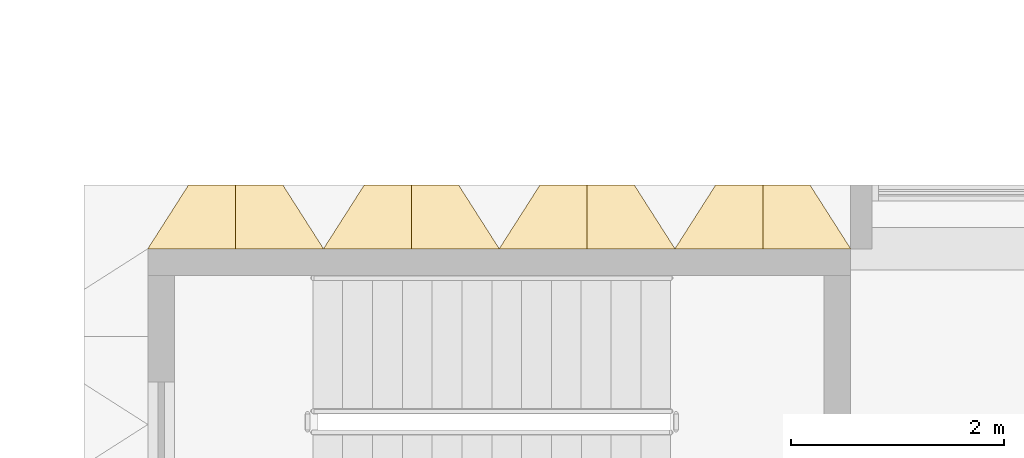
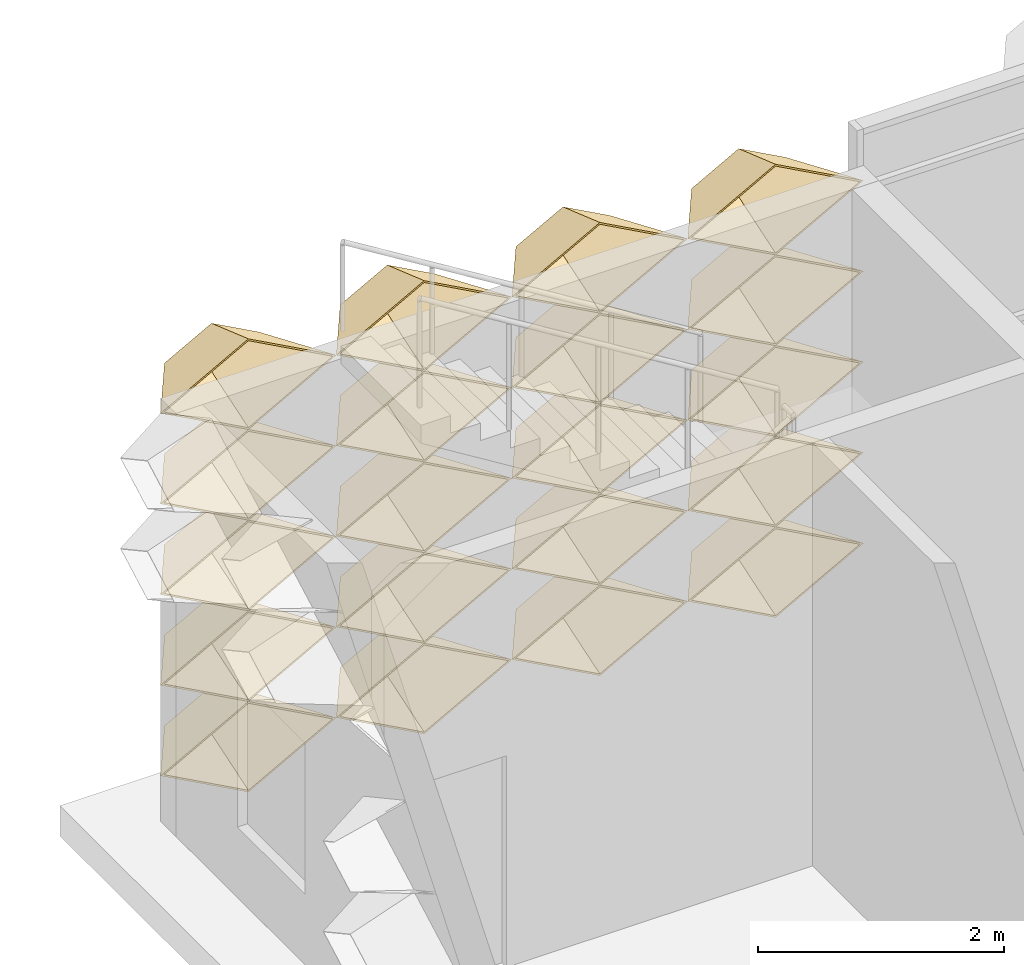
# One storey, part 65 of 102: 20 coverings.
"""IFC4 building model written with IfcOpenShell, lengths in metres."""

from ifc_helpers import new_model, entity, si_unit, direction, frame, origin, place, context, subcontext, project, spatial, material, layer, layer_set, type_object, element, save


model = new_model("IFC4")

# Units and contexts
model_context = context("Model", 3, precision=1e-05, world=origin(), true_north=direction((0.0, 1.0)))
body_context = subcontext(model_context, "Body", "Model", "MODEL_VIEW")
ifc_project = project(units=[si_unit("LENGTHUNIT", "METRE"), si_unit("AREAUNIT", "SQUARE_METRE"), si_unit("VOLUMEUNIT", "CUBIC_METRE"), si_unit("PLANEANGLEUNIT", "RADIAN"), si_unit("MASSUNIT", "GRAM", prefix="KILO")], contexts=[model_context])

# Site, building, storey
site_placement = place(None, origin())
site = spatial("IfcSite", under=ifc_project, at=site_placement, CompositionType="ELEMENT")
building_placement = place(site_placement, origin())
building = spatial("IfcBuilding", under=site, at=building_placement, Name="Lantern Court Research Institute", CompositionType="ELEMENT")
storey_placement = place(building_placement, frame((0.0, 0.0, 9.89990234375)))
storey = spatial("IfcBuildingStorey", under=building, at=storey_placement, Name="L02", CompositionType="ELEMENT", Elevation=9.89990234375)

# Coverings
ifc_material = material(Name="Anodised aluminium", Category="aluminium")
ifc_layer = layer(ifc_material, 0.01611328125)
ifc_layer_set = layer_set([ifc_layer], Name="Anodised aluminium")
covering_type = type_object("IfcCoveringType", Name="Fin cassette 1650 x 900 x 600 aluminium", PredefinedType="CLADDING", material=ifc_layer_set)
covering_1_placement = place(storey_placement, frame((0.824951171875, 23.10009765625, 0.4501953125), z_axis=(0.0, 1.0, 0.0), x_axis=(-1.0, 0.0, 0.0)))
cartesian_point_1 = entity("IfcCartesianPoint", [0.824951171875, 0.0])
cartesian_point_2 = entity("IfcCartesianPoint", [0.79150390625, 0.0])
cartesian_point_3 = entity("IfcCartesianPoint", [0.44189453125, 0.0])
cartesian_point_4 = entity("IfcCartesianPoint", [0.43359375, 0.0])
element("IfcCovering", 1, at=covering_1_placement, inside=storey, type_object=covering_type, Name="Fin cassette V4N-L02 1.1", PredefinedType="CLADDING", context=body_context, shape_type="SweptSolid", body=[
    entity("IfcExtrudedAreaSolidTapered", entity("IfcArbitraryProfileDefWithVoids", "AREA", None, entity("IfcPolyline", [cartesian_point_1, entity("IfcCartesianPoint", [0.0, 0.449951171875]), entity("IfcCartesianPoint", [-0.824951171875, 0.0]), entity("IfcCartesianPoint", [0.0, -0.449951171875]), cartesian_point_1]), [entity("IfcPolyline", [cartesian_point_2, entity("IfcCartesianPoint", [0.0, 0.431884765625]), entity("IfcCartesianPoint", [-0.79150390625, 0.0]), entity("IfcCartesianPoint", [0.0, -0.431884765625]), cartesian_point_2])]), entity("IfcAxis2Placement3D", entity("IfcCartesianPoint", [0.0, 0.0, 0.0])), entity("IfcDirection", [0.0, 0.0, 1.0]), 0.60009765625, entity("IfcArbitraryProfileDefWithVoids", "AREA", None, entity("IfcPolyline", [cartesian_point_3, entity("IfcCartesianPoint", [0.0, 0.240966796875]), entity("IfcCartesianPoint", [-0.44189453125, 0.0]), entity("IfcCartesianPoint", [0.0, -0.240966796875]), cartesian_point_3]), [entity("IfcPolyline", [cartesian_point_4, entity("IfcCartesianPoint", [0.0, 0.236572265625]), entity("IfcCartesianPoint", [-0.43359375, 0.0]), entity("IfcCartesianPoint", [0.0, -0.236572265625]), cartesian_point_4])])),
])
covering_2_placement = place(storey_placement, frame((2.47509765625, 23.10009765625, 0.4501953125), z_axis=(0.0, 1.0, 0.0), x_axis=(-1.0, 0.0, 0.0)))
cartesian_point_5 = entity("IfcCartesianPoint", [0.824951171875, 0.0])
cartesian_point_6 = entity("IfcCartesianPoint", [0.79150390625, 0.0])
cartesian_point_7 = entity("IfcCartesianPoint", [0.44189453125, 0.0])
cartesian_point_8 = entity("IfcCartesianPoint", [0.43359375, 0.0])
element("IfcCovering", 2, at=covering_2_placement, inside=storey, type_object=covering_type, Name="Fin cassette V4N-L02 1.2", PredefinedType="CLADDING", context=body_context, shape_type="SweptSolid", body=[
    entity("IfcExtrudedAreaSolidTapered", entity("IfcArbitraryProfileDefWithVoids", "AREA", None, entity("IfcPolyline", [cartesian_point_5, entity("IfcCartesianPoint", [0.0, 0.449951171875]), entity("IfcCartesianPoint", [-0.824951171875, 0.0]), entity("IfcCartesianPoint", [0.0, -0.449951171875]), cartesian_point_5]), [entity("IfcPolyline", [cartesian_point_6, entity("IfcCartesianPoint", [0.0, 0.431884765625]), entity("IfcCartesianPoint", [-0.79150390625, 0.0]), entity("IfcCartesianPoint", [0.0, -0.431884765625]), cartesian_point_6])]), entity("IfcAxis2Placement3D", entity("IfcCartesianPoint", [0.0, 0.0, 0.0])), entity("IfcDirection", [0.0, 0.0, 1.0]), 0.60009765625, entity("IfcArbitraryProfileDefWithVoids", "AREA", None, entity("IfcPolyline", [cartesian_point_7, entity("IfcCartesianPoint", [0.0, 0.240966796875]), entity("IfcCartesianPoint", [-0.44189453125, 0.0]), entity("IfcCartesianPoint", [0.0, -0.240966796875]), cartesian_point_7]), [entity("IfcPolyline", [cartesian_point_8, entity("IfcCartesianPoint", [0.0, 0.236572265625]), entity("IfcCartesianPoint", [-0.43359375, 0.0]), entity("IfcCartesianPoint", [0.0, -0.236572265625]), cartesian_point_8])])),
])
covering_3_placement = place(storey_placement, frame((4.125, 23.10009765625, 0.4501953125), z_axis=(0.0, 1.0, 0.0), x_axis=(-1.0, 0.0, 0.0)))
cartesian_point_9 = entity("IfcCartesianPoint", [0.824951171875, 0.0])
cartesian_point_10 = entity("IfcCartesianPoint", [0.79150390625, 0.0])
cartesian_point_11 = entity("IfcCartesianPoint", [0.44189453125, 0.0])
cartesian_point_12 = entity("IfcCartesianPoint", [0.43359375, 0.0])
element("IfcCovering", 3, at=covering_3_placement, inside=storey, type_object=covering_type, Name="Fin cassette V4N-L02 1.3", PredefinedType="CLADDING", context=body_context, shape_type="SweptSolid", body=[
    entity("IfcExtrudedAreaSolidTapered", entity("IfcArbitraryProfileDefWithVoids", "AREA", None, entity("IfcPolyline", [cartesian_point_9, entity("IfcCartesianPoint", [0.0, 0.449951171875]), entity("IfcCartesianPoint", [-0.824951171875, 0.0]), entity("IfcCartesianPoint", [0.0, -0.449951171875]), cartesian_point_9]), [entity("IfcPolyline", [cartesian_point_10, entity("IfcCartesianPoint", [0.0, 0.431884765625]), entity("IfcCartesianPoint", [-0.79150390625, 0.0]), entity("IfcCartesianPoint", [0.0, -0.431884765625]), cartesian_point_10])]), entity("IfcAxis2Placement3D", entity("IfcCartesianPoint", [0.0, 0.0, 0.0])), entity("IfcDirection", [0.0, 0.0, 1.0]), 0.60009765625, entity("IfcArbitraryProfileDefWithVoids", "AREA", None, entity("IfcPolyline", [cartesian_point_11, entity("IfcCartesianPoint", [0.0, 0.240966796875]), entity("IfcCartesianPoint", [-0.44189453125, 0.0]), entity("IfcCartesianPoint", [0.0, -0.240966796875]), cartesian_point_11]), [entity("IfcPolyline", [cartesian_point_12, entity("IfcCartesianPoint", [0.0, 0.236572265625]), entity("IfcCartesianPoint", [-0.43359375, 0.0]), entity("IfcCartesianPoint", [0.0, -0.236572265625]), cartesian_point_12])])),
])
covering_4_placement = place(storey_placement, frame((5.77490234375, 23.10009765625, 0.4501953125), z_axis=(0.0, 1.0, 0.0), x_axis=(-1.0, 0.0, 0.0)))
cartesian_point_13 = entity("IfcCartesianPoint", [0.824951171875, 0.0])
cartesian_point_14 = entity("IfcCartesianPoint", [0.79150390625, 0.0])
cartesian_point_15 = entity("IfcCartesianPoint", [0.44189453125, 0.0])
cartesian_point_16 = entity("IfcCartesianPoint", [0.43359375, 0.0])
element("IfcCovering", 4, at=covering_4_placement, inside=storey, type_object=covering_type, Name="Fin cassette V4N-L02 1.4", PredefinedType="CLADDING", context=body_context, shape_type="SweptSolid", body=[
    entity("IfcExtrudedAreaSolidTapered", entity("IfcArbitraryProfileDefWithVoids", "AREA", None, entity("IfcPolyline", [cartesian_point_13, entity("IfcCartesianPoint", [0.0, 0.449951171875]), entity("IfcCartesianPoint", [-0.824951171875, 0.0]), entity("IfcCartesianPoint", [0.0, -0.449951171875]), cartesian_point_13]), [entity("IfcPolyline", [cartesian_point_14, entity("IfcCartesianPoint", [0.0, 0.431884765625]), entity("IfcCartesianPoint", [-0.79150390625, 0.0]), entity("IfcCartesianPoint", [0.0, -0.431884765625]), cartesian_point_14])]), entity("IfcAxis2Placement3D", entity("IfcCartesianPoint", [0.0, 0.0, 0.0])), entity("IfcDirection", [0.0, 0.0, 1.0]), 0.60009765625, entity("IfcArbitraryProfileDefWithVoids", "AREA", None, entity("IfcPolyline", [cartesian_point_15, entity("IfcCartesianPoint", [0.0, 0.240966796875]), entity("IfcCartesianPoint", [-0.44189453125, 0.0]), entity("IfcCartesianPoint", [0.0, -0.240966796875]), cartesian_point_15]), [entity("IfcPolyline", [cartesian_point_16, entity("IfcCartesianPoint", [0.0, 0.236572265625]), entity("IfcCartesianPoint", [-0.43359375, 0.0]), entity("IfcCartesianPoint", [0.0, -0.236572265625]), cartesian_point_16])])),
])
covering_5_placement = place(storey_placement, frame((0.824951171875, 23.10009765625, 1.35009765625), z_axis=(0.0, 1.0, 0.0), x_axis=(-1.0, 0.0, 0.0)))
cartesian_point_17 = entity("IfcCartesianPoint", [0.824951171875, 0.0])
cartesian_point_18 = entity("IfcCartesianPoint", [0.79150390625, 0.0])
cartesian_point_19 = entity("IfcCartesianPoint", [0.44189453125, 0.0])
cartesian_point_20 = entity("IfcCartesianPoint", [0.43359375, 0.0])
element("IfcCovering", 5, at=covering_5_placement, inside=storey, type_object=covering_type, Name="Fin cassette V4N-L02 2.1", PredefinedType="CLADDING", context=body_context, shape_type="SweptSolid", body=[
    entity("IfcExtrudedAreaSolidTapered", entity("IfcArbitraryProfileDefWithVoids", "AREA", None, entity("IfcPolyline", [cartesian_point_17, entity("IfcCartesianPoint", [0.0, 0.449951171875]), entity("IfcCartesianPoint", [-0.824951171875, 0.0]), entity("IfcCartesianPoint", [0.0, -0.449951171875]), cartesian_point_17]), [entity("IfcPolyline", [cartesian_point_18, entity("IfcCartesianPoint", [0.0, 0.431884765625]), entity("IfcCartesianPoint", [-0.79150390625, 0.0]), entity("IfcCartesianPoint", [0.0, -0.431884765625]), cartesian_point_18])]), entity("IfcAxis2Placement3D", entity("IfcCartesianPoint", [0.0, 0.0, 0.0])), entity("IfcDirection", [0.0, 0.0, 1.0]), 0.60009765625, entity("IfcArbitraryProfileDefWithVoids", "AREA", None, entity("IfcPolyline", [cartesian_point_19, entity("IfcCartesianPoint", [0.0, 0.240966796875]), entity("IfcCartesianPoint", [-0.44189453125, 0.0]), entity("IfcCartesianPoint", [0.0, -0.240966796875]), cartesian_point_19]), [entity("IfcPolyline", [cartesian_point_20, entity("IfcCartesianPoint", [0.0, 0.236572265625]), entity("IfcCartesianPoint", [-0.43359375, 0.0]), entity("IfcCartesianPoint", [0.0, -0.236572265625]), cartesian_point_20])])),
])
covering_6_placement = place(storey_placement, frame((2.47509765625, 23.10009765625, 1.35009765625), z_axis=(0.0, 1.0, 0.0), x_axis=(-1.0, 0.0, 0.0)))
cartesian_point_21 = entity("IfcCartesianPoint", [0.824951171875, 0.0])
cartesian_point_22 = entity("IfcCartesianPoint", [0.79150390625, 0.0])
cartesian_point_23 = entity("IfcCartesianPoint", [0.44189453125, 0.0])
cartesian_point_24 = entity("IfcCartesianPoint", [0.43359375, 0.0])
element("IfcCovering", 6, at=covering_6_placement, inside=storey, type_object=covering_type, Name="Fin cassette V4N-L02 2.2", PredefinedType="CLADDING", context=body_context, shape_type="SweptSolid", body=[
    entity("IfcExtrudedAreaSolidTapered", entity("IfcArbitraryProfileDefWithVoids", "AREA", None, entity("IfcPolyline", [cartesian_point_21, entity("IfcCartesianPoint", [0.0, 0.449951171875]), entity("IfcCartesianPoint", [-0.824951171875, 0.0]), entity("IfcCartesianPoint", [0.0, -0.449951171875]), cartesian_point_21]), [entity("IfcPolyline", [cartesian_point_22, entity("IfcCartesianPoint", [0.0, 0.431884765625]), entity("IfcCartesianPoint", [-0.79150390625, 0.0]), entity("IfcCartesianPoint", [0.0, -0.431884765625]), cartesian_point_22])]), entity("IfcAxis2Placement3D", entity("IfcCartesianPoint", [0.0, 0.0, 0.0])), entity("IfcDirection", [0.0, 0.0, 1.0]), 0.60009765625, entity("IfcArbitraryProfileDefWithVoids", "AREA", None, entity("IfcPolyline", [cartesian_point_23, entity("IfcCartesianPoint", [0.0, 0.240966796875]), entity("IfcCartesianPoint", [-0.44189453125, 0.0]), entity("IfcCartesianPoint", [0.0, -0.240966796875]), cartesian_point_23]), [entity("IfcPolyline", [cartesian_point_24, entity("IfcCartesianPoint", [0.0, 0.236572265625]), entity("IfcCartesianPoint", [-0.43359375, 0.0]), entity("IfcCartesianPoint", [0.0, -0.236572265625]), cartesian_point_24])])),
])
covering_7_placement = place(storey_placement, frame((4.125, 23.10009765625, 1.35009765625), z_axis=(0.0, 1.0, 0.0), x_axis=(-1.0, 0.0, 0.0)))
cartesian_point_25 = entity("IfcCartesianPoint", [0.824951171875, 0.0])
cartesian_point_26 = entity("IfcCartesianPoint", [0.79150390625, 0.0])
cartesian_point_27 = entity("IfcCartesianPoint", [0.44189453125, 0.0])
cartesian_point_28 = entity("IfcCartesianPoint", [0.43359375, 0.0])
element("IfcCovering", 7, at=covering_7_placement, inside=storey, type_object=covering_type, Name="Fin cassette V4N-L02 2.3", PredefinedType="CLADDING", context=body_context, shape_type="SweptSolid", body=[
    entity("IfcExtrudedAreaSolidTapered", entity("IfcArbitraryProfileDefWithVoids", "AREA", None, entity("IfcPolyline", [cartesian_point_25, entity("IfcCartesianPoint", [0.0, 0.449951171875]), entity("IfcCartesianPoint", [-0.824951171875, 0.0]), entity("IfcCartesianPoint", [0.0, -0.449951171875]), cartesian_point_25]), [entity("IfcPolyline", [cartesian_point_26, entity("IfcCartesianPoint", [0.0, 0.431884765625]), entity("IfcCartesianPoint", [-0.79150390625, 0.0]), entity("IfcCartesianPoint", [0.0, -0.431884765625]), cartesian_point_26])]), entity("IfcAxis2Placement3D", entity("IfcCartesianPoint", [0.0, 0.0, 0.0])), entity("IfcDirection", [0.0, 0.0, 1.0]), 0.60009765625, entity("IfcArbitraryProfileDefWithVoids", "AREA", None, entity("IfcPolyline", [cartesian_point_27, entity("IfcCartesianPoint", [0.0, 0.240966796875]), entity("IfcCartesianPoint", [-0.44189453125, 0.0]), entity("IfcCartesianPoint", [0.0, -0.240966796875]), cartesian_point_27]), [entity("IfcPolyline", [cartesian_point_28, entity("IfcCartesianPoint", [0.0, 0.236572265625]), entity("IfcCartesianPoint", [-0.43359375, 0.0]), entity("IfcCartesianPoint", [0.0, -0.236572265625]), cartesian_point_28])])),
])
covering_8_placement = place(storey_placement, frame((5.77490234375, 23.10009765625, 1.35009765625), z_axis=(0.0, 1.0, 0.0), x_axis=(-1.0, 0.0, 0.0)))
cartesian_point_29 = entity("IfcCartesianPoint", [0.824951171875, 0.0])
cartesian_point_30 = entity("IfcCartesianPoint", [0.79150390625, 0.0])
cartesian_point_31 = entity("IfcCartesianPoint", [0.44189453125, 0.0])
cartesian_point_32 = entity("IfcCartesianPoint", [0.43359375, 0.0])
element("IfcCovering", 8, at=covering_8_placement, inside=storey, type_object=covering_type, Name="Fin cassette V4N-L02 2.4", PredefinedType="CLADDING", context=body_context, shape_type="SweptSolid", body=[
    entity("IfcExtrudedAreaSolidTapered", entity("IfcArbitraryProfileDefWithVoids", "AREA", None, entity("IfcPolyline", [cartesian_point_29, entity("IfcCartesianPoint", [0.0, 0.449951171875]), entity("IfcCartesianPoint", [-0.824951171875, 0.0]), entity("IfcCartesianPoint", [0.0, -0.449951171875]), cartesian_point_29]), [entity("IfcPolyline", [cartesian_point_30, entity("IfcCartesianPoint", [0.0, 0.431884765625]), entity("IfcCartesianPoint", [-0.79150390625, 0.0]), entity("IfcCartesianPoint", [0.0, -0.431884765625]), cartesian_point_30])]), entity("IfcAxis2Placement3D", entity("IfcCartesianPoint", [0.0, 0.0, 0.0])), entity("IfcDirection", [0.0, 0.0, 1.0]), 0.60009765625, entity("IfcArbitraryProfileDefWithVoids", "AREA", None, entity("IfcPolyline", [cartesian_point_31, entity("IfcCartesianPoint", [0.0, 0.240966796875]), entity("IfcCartesianPoint", [-0.44189453125, 0.0]), entity("IfcCartesianPoint", [0.0, -0.240966796875]), cartesian_point_31]), [entity("IfcPolyline", [cartesian_point_32, entity("IfcCartesianPoint", [0.0, 0.236572265625]), entity("IfcCartesianPoint", [-0.43359375, 0.0]), entity("IfcCartesianPoint", [0.0, -0.236572265625]), cartesian_point_32])])),
])
covering_9_placement = place(storey_placement, frame((0.824951171875, 23.10009765625, 2.25), z_axis=(0.0, 1.0, 0.0), x_axis=(-1.0, 0.0, 0.0)))
cartesian_point_33 = entity("IfcCartesianPoint", [0.824951171875, 0.0])
cartesian_point_34 = entity("IfcCartesianPoint", [0.79150390625, 0.0])
cartesian_point_35 = entity("IfcCartesianPoint", [0.44189453125, 0.0])
cartesian_point_36 = entity("IfcCartesianPoint", [0.43359375, 0.0])
element("IfcCovering", 9, at=covering_9_placement, inside=storey, type_object=covering_type, Name="Fin cassette V4N-L02 3.1", PredefinedType="CLADDING", context=body_context, shape_type="SweptSolid", body=[
    entity("IfcExtrudedAreaSolidTapered", entity("IfcArbitraryProfileDefWithVoids", "AREA", None, entity("IfcPolyline", [cartesian_point_33, entity("IfcCartesianPoint", [0.0, 0.449951171875]), entity("IfcCartesianPoint", [-0.824951171875, 0.0]), entity("IfcCartesianPoint", [0.0, -0.449951171875]), cartesian_point_33]), [entity("IfcPolyline", [cartesian_point_34, entity("IfcCartesianPoint", [0.0, 0.431884765625]), entity("IfcCartesianPoint", [-0.79150390625, 0.0]), entity("IfcCartesianPoint", [0.0, -0.431884765625]), cartesian_point_34])]), entity("IfcAxis2Placement3D", entity("IfcCartesianPoint", [0.0, 0.0, 0.0])), entity("IfcDirection", [0.0, 0.0, 1.0]), 0.60009765625, entity("IfcArbitraryProfileDefWithVoids", "AREA", None, entity("IfcPolyline", [cartesian_point_35, entity("IfcCartesianPoint", [0.0, 0.240966796875]), entity("IfcCartesianPoint", [-0.44189453125, 0.0]), entity("IfcCartesianPoint", [0.0, -0.240966796875]), cartesian_point_35]), [entity("IfcPolyline", [cartesian_point_36, entity("IfcCartesianPoint", [0.0, 0.236572265625]), entity("IfcCartesianPoint", [-0.43359375, 0.0]), entity("IfcCartesianPoint", [0.0, -0.236572265625]), cartesian_point_36])])),
])
covering_10_placement = place(storey_placement, frame((2.47509765625, 23.10009765625, 2.25), z_axis=(0.0, 1.0, 0.0), x_axis=(-1.0, 0.0, 0.0)))
cartesian_point_37 = entity("IfcCartesianPoint", [0.824951171875, 0.0])
cartesian_point_38 = entity("IfcCartesianPoint", [0.79150390625, 0.0])
cartesian_point_39 = entity("IfcCartesianPoint", [0.44189453125, 0.0])
cartesian_point_40 = entity("IfcCartesianPoint", [0.43359375, 0.0])
element("IfcCovering", 10, at=covering_10_placement, inside=storey, type_object=covering_type, Name="Fin cassette V4N-L02 3.2", PredefinedType="CLADDING", context=body_context, shape_type="SweptSolid", body=[
    entity("IfcExtrudedAreaSolidTapered", entity("IfcArbitraryProfileDefWithVoids", "AREA", None, entity("IfcPolyline", [cartesian_point_37, entity("IfcCartesianPoint", [0.0, 0.449951171875]), entity("IfcCartesianPoint", [-0.824951171875, 0.0]), entity("IfcCartesianPoint", [0.0, -0.449951171875]), cartesian_point_37]), [entity("IfcPolyline", [cartesian_point_38, entity("IfcCartesianPoint", [0.0, 0.431884765625]), entity("IfcCartesianPoint", [-0.79150390625, 0.0]), entity("IfcCartesianPoint", [0.0, -0.431884765625]), cartesian_point_38])]), entity("IfcAxis2Placement3D", entity("IfcCartesianPoint", [0.0, 0.0, 0.0])), entity("IfcDirection", [0.0, 0.0, 1.0]), 0.60009765625, entity("IfcArbitraryProfileDefWithVoids", "AREA", None, entity("IfcPolyline", [cartesian_point_39, entity("IfcCartesianPoint", [0.0, 0.240966796875]), entity("IfcCartesianPoint", [-0.44189453125, 0.0]), entity("IfcCartesianPoint", [0.0, -0.240966796875]), cartesian_point_39]), [entity("IfcPolyline", [cartesian_point_40, entity("IfcCartesianPoint", [0.0, 0.236572265625]), entity("IfcCartesianPoint", [-0.43359375, 0.0]), entity("IfcCartesianPoint", [0.0, -0.236572265625]), cartesian_point_40])])),
])
covering_11_placement = place(storey_placement, frame((4.125, 23.10009765625, 2.25), z_axis=(0.0, 1.0, 0.0), x_axis=(-1.0, 0.0, 0.0)))
cartesian_point_41 = entity("IfcCartesianPoint", [0.824951171875, 0.0])
cartesian_point_42 = entity("IfcCartesianPoint", [0.79150390625, 0.0])
cartesian_point_43 = entity("IfcCartesianPoint", [0.44189453125, 0.0])
cartesian_point_44 = entity("IfcCartesianPoint", [0.43359375, 0.0])
element("IfcCovering", 11, at=covering_11_placement, inside=storey, type_object=covering_type, Name="Fin cassette V4N-L02 3.3", PredefinedType="CLADDING", context=body_context, shape_type="SweptSolid", body=[
    entity("IfcExtrudedAreaSolidTapered", entity("IfcArbitraryProfileDefWithVoids", "AREA", None, entity("IfcPolyline", [cartesian_point_41, entity("IfcCartesianPoint", [0.0, 0.449951171875]), entity("IfcCartesianPoint", [-0.824951171875, 0.0]), entity("IfcCartesianPoint", [0.0, -0.449951171875]), cartesian_point_41]), [entity("IfcPolyline", [cartesian_point_42, entity("IfcCartesianPoint", [0.0, 0.431884765625]), entity("IfcCartesianPoint", [-0.79150390625, 0.0]), entity("IfcCartesianPoint", [0.0, -0.431884765625]), cartesian_point_42])]), entity("IfcAxis2Placement3D", entity("IfcCartesianPoint", [0.0, 0.0, 0.0])), entity("IfcDirection", [0.0, 0.0, 1.0]), 0.60009765625, entity("IfcArbitraryProfileDefWithVoids", "AREA", None, entity("IfcPolyline", [cartesian_point_43, entity("IfcCartesianPoint", [0.0, 0.240966796875]), entity("IfcCartesianPoint", [-0.44189453125, 0.0]), entity("IfcCartesianPoint", [0.0, -0.240966796875]), cartesian_point_43]), [entity("IfcPolyline", [cartesian_point_44, entity("IfcCartesianPoint", [0.0, 0.236572265625]), entity("IfcCartesianPoint", [-0.43359375, 0.0]), entity("IfcCartesianPoint", [0.0, -0.236572265625]), cartesian_point_44])])),
])
covering_12_placement = place(storey_placement, frame((5.77490234375, 23.10009765625, 2.25), z_axis=(0.0, 1.0, 0.0), x_axis=(-1.0, 0.0, 0.0)))
cartesian_point_45 = entity("IfcCartesianPoint", [0.824951171875, 0.0])
cartesian_point_46 = entity("IfcCartesianPoint", [0.79150390625, 0.0])
cartesian_point_47 = entity("IfcCartesianPoint", [0.44189453125, 0.0])
cartesian_point_48 = entity("IfcCartesianPoint", [0.43359375, 0.0])
element("IfcCovering", 12, at=covering_12_placement, inside=storey, type_object=covering_type, Name="Fin cassette V4N-L02 3.4", PredefinedType="CLADDING", context=body_context, shape_type="SweptSolid", body=[
    entity("IfcExtrudedAreaSolidTapered", entity("IfcArbitraryProfileDefWithVoids", "AREA", None, entity("IfcPolyline", [cartesian_point_45, entity("IfcCartesianPoint", [0.0, 0.449951171875]), entity("IfcCartesianPoint", [-0.824951171875, 0.0]), entity("IfcCartesianPoint", [0.0, -0.449951171875]), cartesian_point_45]), [entity("IfcPolyline", [cartesian_point_46, entity("IfcCartesianPoint", [0.0, 0.431884765625]), entity("IfcCartesianPoint", [-0.79150390625, 0.0]), entity("IfcCartesianPoint", [0.0, -0.431884765625]), cartesian_point_46])]), entity("IfcAxis2Placement3D", entity("IfcCartesianPoint", [0.0, 0.0, 0.0])), entity("IfcDirection", [0.0, 0.0, 1.0]), 0.60009765625, entity("IfcArbitraryProfileDefWithVoids", "AREA", None, entity("IfcPolyline", [cartesian_point_47, entity("IfcCartesianPoint", [0.0, 0.240966796875]), entity("IfcCartesianPoint", [-0.44189453125, 0.0]), entity("IfcCartesianPoint", [0.0, -0.240966796875]), cartesian_point_47]), [entity("IfcPolyline", [cartesian_point_48, entity("IfcCartesianPoint", [0.0, 0.236572265625]), entity("IfcCartesianPoint", [-0.43359375, 0.0]), entity("IfcCartesianPoint", [0.0, -0.236572265625]), cartesian_point_48])])),
])
covering_13_placement = place(storey_placement, frame((0.824951171875, 23.10009765625, 3.150146484375), z_axis=(0.0, 1.0, 0.0), x_axis=(-1.0, 0.0, 0.0)))
cartesian_point_49 = entity("IfcCartesianPoint", [0.824951171875, 0.0])
cartesian_point_50 = entity("IfcCartesianPoint", [0.79150390625, 0.0])
cartesian_point_51 = entity("IfcCartesianPoint", [0.44189453125, 0.0])
cartesian_point_52 = entity("IfcCartesianPoint", [0.43359375, 0.0])
element("IfcCovering", 13, at=covering_13_placement, inside=storey, type_object=covering_type, Name="Fin cassette V4N-L02 4.1", PredefinedType="CLADDING", context=body_context, shape_type="SweptSolid", body=[
    entity("IfcExtrudedAreaSolidTapered", entity("IfcArbitraryProfileDefWithVoids", "AREA", None, entity("IfcPolyline", [cartesian_point_49, entity("IfcCartesianPoint", [0.0, 0.449951171875]), entity("IfcCartesianPoint", [-0.824951171875, 0.0]), entity("IfcCartesianPoint", [0.0, -0.449951171875]), cartesian_point_49]), [entity("IfcPolyline", [cartesian_point_50, entity("IfcCartesianPoint", [0.0, 0.431884765625]), entity("IfcCartesianPoint", [-0.79150390625, 0.0]), entity("IfcCartesianPoint", [0.0, -0.431884765625]), cartesian_point_50])]), entity("IfcAxis2Placement3D", entity("IfcCartesianPoint", [0.0, 0.0, 0.0])), entity("IfcDirection", [0.0, 0.0, 1.0]), 0.60009765625, entity("IfcArbitraryProfileDefWithVoids", "AREA", None, entity("IfcPolyline", [cartesian_point_51, entity("IfcCartesianPoint", [0.0, 0.240966796875]), entity("IfcCartesianPoint", [-0.44189453125, 0.0]), entity("IfcCartesianPoint", [0.0, -0.240966796875]), cartesian_point_51]), [entity("IfcPolyline", [cartesian_point_52, entity("IfcCartesianPoint", [0.0, 0.236572265625]), entity("IfcCartesianPoint", [-0.43359375, 0.0]), entity("IfcCartesianPoint", [0.0, -0.236572265625]), cartesian_point_52])])),
])
covering_14_placement = place(storey_placement, frame((2.47509765625, 23.10009765625, 3.150146484375), z_axis=(0.0, 1.0, 0.0), x_axis=(-1.0, 0.0, 0.0)))
cartesian_point_53 = entity("IfcCartesianPoint", [0.824951171875, 0.0])
cartesian_point_54 = entity("IfcCartesianPoint", [0.79150390625, 0.0])
cartesian_point_55 = entity("IfcCartesianPoint", [0.44189453125, 0.0])
cartesian_point_56 = entity("IfcCartesianPoint", [0.43359375, 0.0])
element("IfcCovering", 14, at=covering_14_placement, inside=storey, type_object=covering_type, Name="Fin cassette V4N-L02 4.2", PredefinedType="CLADDING", context=body_context, shape_type="SweptSolid", body=[
    entity("IfcExtrudedAreaSolidTapered", entity("IfcArbitraryProfileDefWithVoids", "AREA", None, entity("IfcPolyline", [cartesian_point_53, entity("IfcCartesianPoint", [0.0, 0.449951171875]), entity("IfcCartesianPoint", [-0.824951171875, 0.0]), entity("IfcCartesianPoint", [0.0, -0.449951171875]), cartesian_point_53]), [entity("IfcPolyline", [cartesian_point_54, entity("IfcCartesianPoint", [0.0, 0.431884765625]), entity("IfcCartesianPoint", [-0.79150390625, 0.0]), entity("IfcCartesianPoint", [0.0, -0.431884765625]), cartesian_point_54])]), entity("IfcAxis2Placement3D", entity("IfcCartesianPoint", [0.0, 0.0, 0.0])), entity("IfcDirection", [0.0, 0.0, 1.0]), 0.60009765625, entity("IfcArbitraryProfileDefWithVoids", "AREA", None, entity("IfcPolyline", [cartesian_point_55, entity("IfcCartesianPoint", [0.0, 0.240966796875]), entity("IfcCartesianPoint", [-0.44189453125, 0.0]), entity("IfcCartesianPoint", [0.0, -0.240966796875]), cartesian_point_55]), [entity("IfcPolyline", [cartesian_point_56, entity("IfcCartesianPoint", [0.0, 0.236572265625]), entity("IfcCartesianPoint", [-0.43359375, 0.0]), entity("IfcCartesianPoint", [0.0, -0.236572265625]), cartesian_point_56])])),
])
covering_15_placement = place(storey_placement, frame((4.125, 23.10009765625, 3.150146484375), z_axis=(0.0, 1.0, 0.0), x_axis=(-1.0, 0.0, 0.0)))
cartesian_point_57 = entity("IfcCartesianPoint", [0.824951171875, 0.0])
cartesian_point_58 = entity("IfcCartesianPoint", [0.79150390625, 0.0])
cartesian_point_59 = entity("IfcCartesianPoint", [0.44189453125, 0.0])
cartesian_point_60 = entity("IfcCartesianPoint", [0.43359375, 0.0])
element("IfcCovering", 15, at=covering_15_placement, inside=storey, type_object=covering_type, Name="Fin cassette V4N-L02 4.3", PredefinedType="CLADDING", context=body_context, shape_type="SweptSolid", body=[
    entity("IfcExtrudedAreaSolidTapered", entity("IfcArbitraryProfileDefWithVoids", "AREA", None, entity("IfcPolyline", [cartesian_point_57, entity("IfcCartesianPoint", [0.0, 0.449951171875]), entity("IfcCartesianPoint", [-0.824951171875, 0.0]), entity("IfcCartesianPoint", [0.0, -0.449951171875]), cartesian_point_57]), [entity("IfcPolyline", [cartesian_point_58, entity("IfcCartesianPoint", [0.0, 0.431884765625]), entity("IfcCartesianPoint", [-0.79150390625, 0.0]), entity("IfcCartesianPoint", [0.0, -0.431884765625]), cartesian_point_58])]), entity("IfcAxis2Placement3D", entity("IfcCartesianPoint", [0.0, 0.0, 0.0])), entity("IfcDirection", [0.0, 0.0, 1.0]), 0.60009765625, entity("IfcArbitraryProfileDefWithVoids", "AREA", None, entity("IfcPolyline", [cartesian_point_59, entity("IfcCartesianPoint", [0.0, 0.240966796875]), entity("IfcCartesianPoint", [-0.44189453125, 0.0]), entity("IfcCartesianPoint", [0.0, -0.240966796875]), cartesian_point_59]), [entity("IfcPolyline", [cartesian_point_60, entity("IfcCartesianPoint", [0.0, 0.236572265625]), entity("IfcCartesianPoint", [-0.43359375, 0.0]), entity("IfcCartesianPoint", [0.0, -0.236572265625]), cartesian_point_60])])),
])
covering_16_placement = place(storey_placement, frame((5.77490234375, 23.10009765625, 3.150146484375), z_axis=(0.0, 1.0, 0.0), x_axis=(-1.0, 0.0, 0.0)))
cartesian_point_61 = entity("IfcCartesianPoint", [0.824951171875, 0.0])
cartesian_point_62 = entity("IfcCartesianPoint", [0.79150390625, 0.0])
cartesian_point_63 = entity("IfcCartesianPoint", [0.44189453125, 0.0])
cartesian_point_64 = entity("IfcCartesianPoint", [0.43359375, 0.0])
element("IfcCovering", 16, at=covering_16_placement, inside=storey, type_object=covering_type, Name="Fin cassette V4N-L02 4.4", PredefinedType="CLADDING", context=body_context, shape_type="SweptSolid", body=[
    entity("IfcExtrudedAreaSolidTapered", entity("IfcArbitraryProfileDefWithVoids", "AREA", None, entity("IfcPolyline", [cartesian_point_61, entity("IfcCartesianPoint", [0.0, 0.449951171875]), entity("IfcCartesianPoint", [-0.824951171875, 0.0]), entity("IfcCartesianPoint", [0.0, -0.449951171875]), cartesian_point_61]), [entity("IfcPolyline", [cartesian_point_62, entity("IfcCartesianPoint", [0.0, 0.431884765625]), entity("IfcCartesianPoint", [-0.79150390625, 0.0]), entity("IfcCartesianPoint", [0.0, -0.431884765625]), cartesian_point_62])]), entity("IfcAxis2Placement3D", entity("IfcCartesianPoint", [0.0, 0.0, 0.0])), entity("IfcDirection", [0.0, 0.0, 1.0]), 0.60009765625, entity("IfcArbitraryProfileDefWithVoids", "AREA", None, entity("IfcPolyline", [cartesian_point_63, entity("IfcCartesianPoint", [0.0, 0.240966796875]), entity("IfcCartesianPoint", [-0.44189453125, 0.0]), entity("IfcCartesianPoint", [0.0, -0.240966796875]), cartesian_point_63]), [entity("IfcPolyline", [cartesian_point_64, entity("IfcCartesianPoint", [0.0, 0.236572265625]), entity("IfcCartesianPoint", [-0.43359375, 0.0]), entity("IfcCartesianPoint", [0.0, -0.236572265625]), cartesian_point_64])])),
])
covering_17_placement = place(storey_placement, frame((0.824951171875, 23.10009765625, 4.050048828125), z_axis=(0.0, 1.0, 0.0), x_axis=(-1.0, 0.0, 0.0)))
cartesian_point_65 = entity("IfcCartesianPoint", [0.824951171875, 0.0])
cartesian_point_66 = entity("IfcCartesianPoint", [0.79150390625, 0.0])
cartesian_point_67 = entity("IfcCartesianPoint", [0.44189453125, 0.0])
cartesian_point_68 = entity("IfcCartesianPoint", [0.43359375, 0.0])
element("IfcCovering", 17, at=covering_17_placement, inside=storey, type_object=covering_type, Name="Fin cassette V4N-L02 5.1", PredefinedType="CLADDING", context=body_context, shape_type="SweptSolid", body=[
    entity("IfcExtrudedAreaSolidTapered", entity("IfcArbitraryProfileDefWithVoids", "AREA", None, entity("IfcPolyline", [cartesian_point_65, entity("IfcCartesianPoint", [0.0, 0.449951171875]), entity("IfcCartesianPoint", [-0.824951171875, 0.0]), entity("IfcCartesianPoint", [0.0, -0.449951171875]), cartesian_point_65]), [entity("IfcPolyline", [cartesian_point_66, entity("IfcCartesianPoint", [0.0, 0.431884765625]), entity("IfcCartesianPoint", [-0.79150390625, 0.0]), entity("IfcCartesianPoint", [0.0, -0.431884765625]), cartesian_point_66])]), entity("IfcAxis2Placement3D", entity("IfcCartesianPoint", [0.0, 0.0, 0.0])), entity("IfcDirection", [0.0, 0.0, 1.0]), 0.60009765625, entity("IfcArbitraryProfileDefWithVoids", "AREA", None, entity("IfcPolyline", [cartesian_point_67, entity("IfcCartesianPoint", [0.0, 0.240966796875]), entity("IfcCartesianPoint", [-0.44189453125, 0.0]), entity("IfcCartesianPoint", [0.0, -0.240966796875]), cartesian_point_67]), [entity("IfcPolyline", [cartesian_point_68, entity("IfcCartesianPoint", [0.0, 0.236572265625]), entity("IfcCartesianPoint", [-0.43359375, 0.0]), entity("IfcCartesianPoint", [0.0, -0.236572265625]), cartesian_point_68])])),
])
covering_18_placement = place(storey_placement, frame((2.47509765625, 23.10009765625, 4.050048828125), z_axis=(0.0, 1.0, 0.0), x_axis=(-1.0, 0.0, 0.0)))
cartesian_point_69 = entity("IfcCartesianPoint", [0.824951171875, 0.0])
cartesian_point_70 = entity("IfcCartesianPoint", [0.79150390625, 0.0])
cartesian_point_71 = entity("IfcCartesianPoint", [0.44189453125, 0.0])
cartesian_point_72 = entity("IfcCartesianPoint", [0.43359375, 0.0])
element("IfcCovering", 18, at=covering_18_placement, inside=storey, type_object=covering_type, Name="Fin cassette V4N-L02 5.2", PredefinedType="CLADDING", context=body_context, shape_type="SweptSolid", body=[
    entity("IfcExtrudedAreaSolidTapered", entity("IfcArbitraryProfileDefWithVoids", "AREA", None, entity("IfcPolyline", [cartesian_point_69, entity("IfcCartesianPoint", [0.0, 0.449951171875]), entity("IfcCartesianPoint", [-0.824951171875, 0.0]), entity("IfcCartesianPoint", [0.0, -0.449951171875]), cartesian_point_69]), [entity("IfcPolyline", [cartesian_point_70, entity("IfcCartesianPoint", [0.0, 0.431884765625]), entity("IfcCartesianPoint", [-0.79150390625, 0.0]), entity("IfcCartesianPoint", [0.0, -0.431884765625]), cartesian_point_70])]), entity("IfcAxis2Placement3D", entity("IfcCartesianPoint", [0.0, 0.0, 0.0])), entity("IfcDirection", [0.0, 0.0, 1.0]), 0.60009765625, entity("IfcArbitraryProfileDefWithVoids", "AREA", None, entity("IfcPolyline", [cartesian_point_71, entity("IfcCartesianPoint", [0.0, 0.240966796875]), entity("IfcCartesianPoint", [-0.44189453125, 0.0]), entity("IfcCartesianPoint", [0.0, -0.240966796875]), cartesian_point_71]), [entity("IfcPolyline", [cartesian_point_72, entity("IfcCartesianPoint", [0.0, 0.236572265625]), entity("IfcCartesianPoint", [-0.43359375, 0.0]), entity("IfcCartesianPoint", [0.0, -0.236572265625]), cartesian_point_72])])),
])
covering_19_placement = place(storey_placement, frame((4.125, 23.10009765625, 4.050048828125), z_axis=(0.0, 1.0, 0.0), x_axis=(-1.0, 0.0, 0.0)))
cartesian_point_73 = entity("IfcCartesianPoint", [0.824951171875, 0.0])
cartesian_point_74 = entity("IfcCartesianPoint", [0.79150390625, 0.0])
cartesian_point_75 = entity("IfcCartesianPoint", [0.44189453125, 0.0])
cartesian_point_76 = entity("IfcCartesianPoint", [0.43359375, 0.0])
element("IfcCovering", 19, at=covering_19_placement, inside=storey, type_object=covering_type, Name="Fin cassette V4N-L02 5.3", PredefinedType="CLADDING", context=body_context, shape_type="SweptSolid", body=[
    entity("IfcExtrudedAreaSolidTapered", entity("IfcArbitraryProfileDefWithVoids", "AREA", None, entity("IfcPolyline", [cartesian_point_73, entity("IfcCartesianPoint", [0.0, 0.449951171875]), entity("IfcCartesianPoint", [-0.824951171875, 0.0]), entity("IfcCartesianPoint", [0.0, -0.449951171875]), cartesian_point_73]), [entity("IfcPolyline", [cartesian_point_74, entity("IfcCartesianPoint", [0.0, 0.431884765625]), entity("IfcCartesianPoint", [-0.79150390625, 0.0]), entity("IfcCartesianPoint", [0.0, -0.431884765625]), cartesian_point_74])]), entity("IfcAxis2Placement3D", entity("IfcCartesianPoint", [0.0, 0.0, 0.0])), entity("IfcDirection", [0.0, 0.0, 1.0]), 0.60009765625, entity("IfcArbitraryProfileDefWithVoids", "AREA", None, entity("IfcPolyline", [cartesian_point_75, entity("IfcCartesianPoint", [0.0, 0.240966796875]), entity("IfcCartesianPoint", [-0.44189453125, 0.0]), entity("IfcCartesianPoint", [0.0, -0.240966796875]), cartesian_point_75]), [entity("IfcPolyline", [cartesian_point_76, entity("IfcCartesianPoint", [0.0, 0.236572265625]), entity("IfcCartesianPoint", [-0.43359375, 0.0]), entity("IfcCartesianPoint", [0.0, -0.236572265625]), cartesian_point_76])])),
])
covering_20_placement = place(storey_placement, frame((5.77490234375, 23.10009765625, 4.050048828125), z_axis=(0.0, 1.0, 0.0), x_axis=(-1.0, 0.0, 0.0)))
cartesian_point_77 = entity("IfcCartesianPoint", [0.824951171875, 0.0])
cartesian_point_78 = entity("IfcCartesianPoint", [0.79150390625, 0.0])
cartesian_point_79 = entity("IfcCartesianPoint", [0.44189453125, 0.0])
cartesian_point_80 = entity("IfcCartesianPoint", [0.43359375, 0.0])
element("IfcCovering", 20, at=covering_20_placement, inside=storey, type_object=covering_type, Name="Fin cassette V4N-L02 5.4", PredefinedType="CLADDING", context=body_context, shape_type="SweptSolid", body=[
    entity("IfcExtrudedAreaSolidTapered", entity("IfcArbitraryProfileDefWithVoids", "AREA", None, entity("IfcPolyline", [cartesian_point_77, entity("IfcCartesianPoint", [0.0, 0.449951171875]), entity("IfcCartesianPoint", [-0.824951171875, 0.0]), entity("IfcCartesianPoint", [0.0, -0.449951171875]), cartesian_point_77]), [entity("IfcPolyline", [cartesian_point_78, entity("IfcCartesianPoint", [0.0, 0.431884765625]), entity("IfcCartesianPoint", [-0.79150390625, 0.0]), entity("IfcCartesianPoint", [0.0, -0.431884765625]), cartesian_point_78])]), entity("IfcAxis2Placement3D", entity("IfcCartesianPoint", [0.0, 0.0, 0.0])), entity("IfcDirection", [0.0, 0.0, 1.0]), 0.60009765625, entity("IfcArbitraryProfileDefWithVoids", "AREA", None, entity("IfcPolyline", [cartesian_point_79, entity("IfcCartesianPoint", [0.0, 0.240966796875]), entity("IfcCartesianPoint", [-0.44189453125, 0.0]), entity("IfcCartesianPoint", [0.0, -0.240966796875]), cartesian_point_79]), [entity("IfcPolyline", [cartesian_point_80, entity("IfcCartesianPoint", [0.0, 0.236572265625]), entity("IfcCartesianPoint", [-0.43359375, 0.0]), entity("IfcCartesianPoint", [0.0, -0.236572265625]), cartesian_point_80])])),
])

save(model, "model.ifc")
